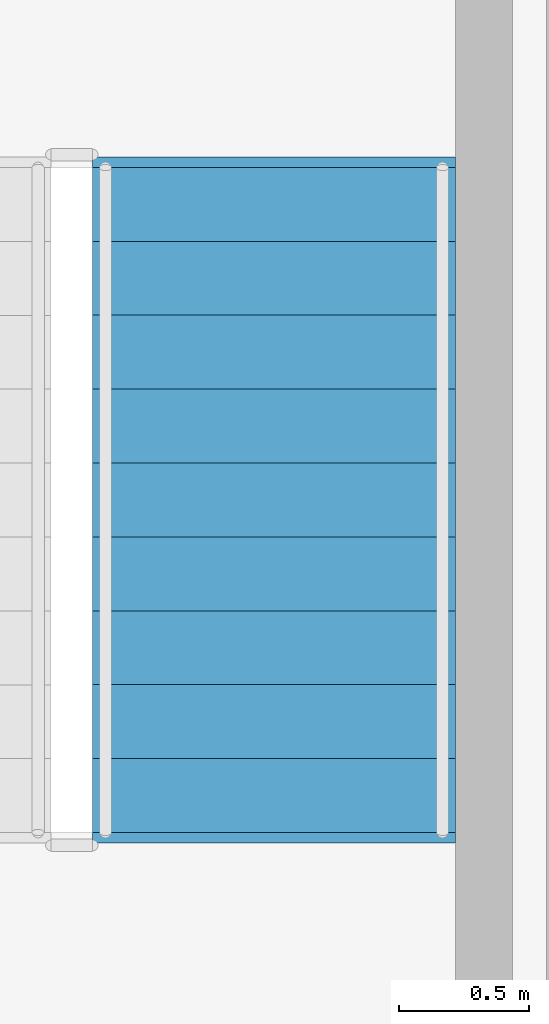
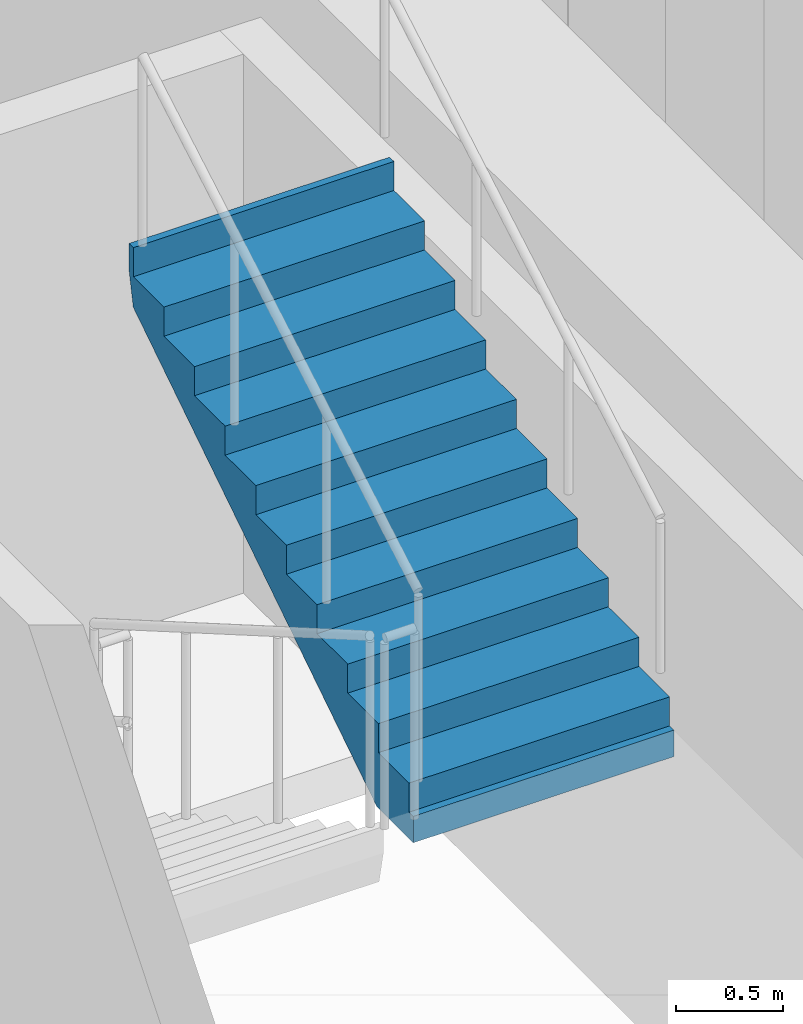
# One storey, part 16 of 20: 1 stair flight, 1 element without a shape of its own.
"""IFC4 building model written with IfcOpenShell, lengths in metres."""

from ifc_helpers import new_model, si_unit, direction, frame, origin, place, context, subcontext, project, spatial, polyline, outline, extrude, material, type_object, element, aggregate, save


model = new_model("IFC4")

# Units and contexts
model_context = context("Model", 3, precision=1e-05, world=origin(), true_north=direction((0.0, 1.0)))
body_context = subcontext(model_context, "Body", "Model", "MODEL_VIEW")
ifc_project = project(units=[si_unit("LENGTHUNIT", "METRE"), si_unit("AREAUNIT", "SQUARE_METRE"), si_unit("VOLUMEUNIT", "CUBIC_METRE"), si_unit("PLANEANGLEUNIT", "RADIAN"), si_unit("MASSUNIT", "GRAM", prefix="KILO")], contexts=[model_context])

# Site, building, storey
site_placement = place(None, origin())
site = spatial("IfcSite", under=ifc_project, at=site_placement, CompositionType="ELEMENT")
building_placement = place(site_placement, origin())
building = spatial("IfcBuilding", under=site, at=building_placement, Name="Durnholm Broadcast Tower", CompositionType="ELEMENT")
storey_placement = place(building_placement, frame((0.0, 0.0, 32.39990234375)))
storey = spatial("IfcBuildingStorey", under=building, at=storey_placement, Name="L06", CompositionType="ELEMENT", Elevation=32.39990234375)

# Stair, stair flight
ifc_material = material(Name="Concrete C50/60", Category="concrete")
stair_type = type_object("IfcStairType", Name="STAIR-DL-20R1650", PredefinedType="HALF_TURN_STAIR", material=ifc_material)
stair_placement = place(storey_placement, origin())
stair = element("IfcStair", 1, at=stair_placement, inside=storey, type_object=stair_type, Name="L06 ST-2", PredefinedType="HALF_TURN_STAIR")
stair_flight_type = type_object("IfcStairFlightType", Name="FLIGHT-DL-20R1650", PredefinedType="STRAIGHT", material=ifc_material)
stair_flight_placement = place(storey_placement, frame((8.800048828125, -4.06494140625, 1.650146484375), z_axis=(0.0, 0.0, 1.0), x_axis=(0.0, 1.0, 0.0)))
stair_flight = element("IfcStairFlight", 2, at=stair_flight_placement, type_object=stair_flight_type, Name="ST-2 flight 2", NumberOfRisers=10, NumberOfTreads=9, PredefinedType="STRAIGHT", RiserHeight=0.165, TreadLength=0.285, context=body_context, shape_type="SweptSolid", body=[
    extrude(outline(polyline([(-0.0400390625, -0.14990234375), (-0.0400390625, 0.0), (0.0, 0.0), (0.0, 0.1650390625), (0.284912109375, 0.1650390625), (0.284912109375, 0.330078125), (0.570068359375, 0.330078125), (0.570068359375, 0.4951171875), (0.85498046875, 0.4951171875), (0.85498046875, 0.659912109375), (1.139892578125, 0.659912109375), (1.139892578125, 0.824951171875), (1.425048828125, 0.824951171875), (1.425048828125, 0.989990234375), (1.7099609375, 0.989990234375), (1.7099609375, 1.155029296875), (1.9951171875, 1.155029296875), (1.9951171875, 1.320068359375), (2.280029296875, 1.320068359375), (2.280029296875, 1.485107421875), (2.56494140625, 1.485107421875), (2.56494140625, 1.64990234375), (2.60498046875, 1.64990234375), (2.60498046875, 1.5), (2.56494140625, 1.311767578125), (0.299072265625, -0.14990234375), (-0.0400390625, -0.14990234375)])), frame((0.0, 0.699951171875, 0.0), z_axis=(0.0, -1.0, 0.0), x_axis=(1.0, 0.0, 0.0)), (0.0, 0.0, 1.0), 1.39990234375),
])
aggregate(stair, [stair_flight])

save(model, "model.ifc")
